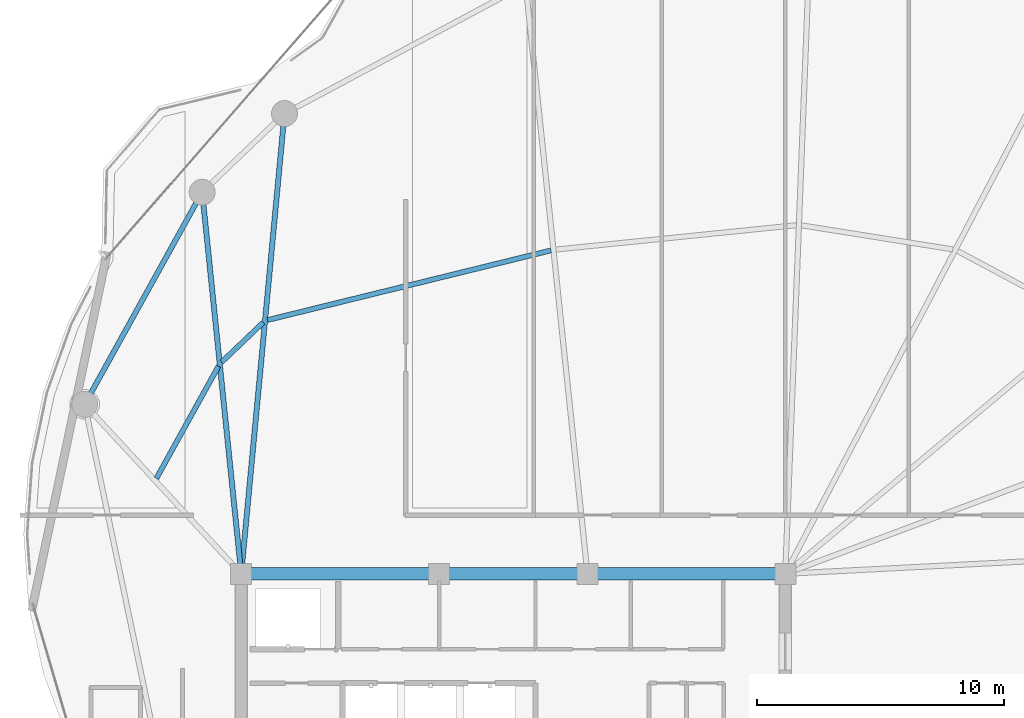
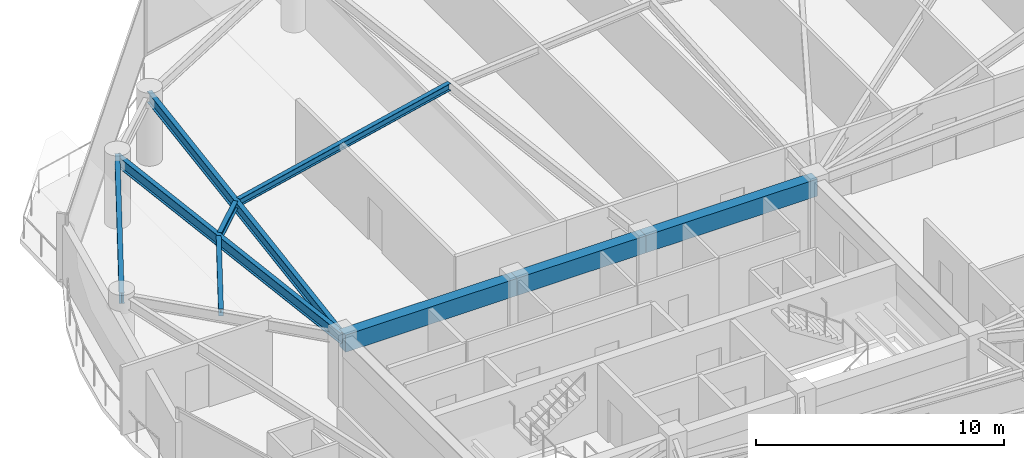
# One storey, part 8 of 28: 9 beams.
"""IFC4 building model written with IfcOpenShell, lengths in metres."""

from ifc_helpers import new_model, si_unit, direction, frame, origin, origin_2d, place, context, subcontext, project, spatial, rectangle, i_section, extrude, material, material_profile, profile_set, type_object, element, save


model = new_model("IFC4")

# Units and contexts
model_context = context("Model", 3, precision=1e-05, world=origin(), true_north=direction((0.0, 1.0)))
body_context = subcontext(model_context, "Body", "Model", "MODEL_VIEW")
ifc_project = project(units=[si_unit("LENGTHUNIT", "METRE"), si_unit("AREAUNIT", "SQUARE_METRE"), si_unit("VOLUMEUNIT", "CUBIC_METRE"), si_unit("PLANEANGLEUNIT", "RADIAN"), si_unit("MASSUNIT", "GRAM", prefix="KILO")], contexts=[model_context])

# Site, building, storey
site_placement = place(None, origin())
site = spatial("IfcSite", under=ifc_project, at=site_placement, CompositionType="ELEMENT")
building_placement = place(site_placement, origin())
building = spatial("IfcBuilding", under=site, at=building_placement, Name="Kazevale Care Tower and Concert Hall", CompositionType="ELEMENT")
storey_placement = place(building_placement, frame((0.0, 0.0, 228.0)))
storey = spatial("IfcBuildingStorey", under=building, at=storey_placement, Name="L60", CompositionType="ELEMENT", Elevation=228.0)

# Beams
ifc_material_1 = material(Name="Concrete C60", Category="concrete")
ifc_material_profile_1 = material_profile(ifc_material_1, rectangle(XDim=0.5, YDim=0.85009765625, at=origin_2d()), Name="RC-B500x850")
ifc_profile_set_1 = profile_set([ifc_material_profile_1], Name="Concrete C60")
beam_type_1 = type_object("IfcBeamType", Name="Core Coupling Beam RC500x850", PredefinedType="LINTEL", material=ifc_profile_set_1)
beam_1_placement = place(storey_placement, frame((44.0, 36.39990234375, 2.93505859375), z_axis=(-1.0, 0.0, 0.0), x_axis=(0.0, -1.0, 0.0)))
element("IfcBeam", 1, at=beam_1_placement, inside=storey, type_object=beam_type_1, Name="beam:L60:coretie:5", PredefinedType="LINTEL", context=body_context, shape_type="SweptSolid", body=[
    extrude(rectangle(XDim=0.5, YDim=0.85009765625, at=origin_2d()), origin(), (0.0, 0.0, 1.0), 8.0),
])
beam_2_placement = place(storey_placement, frame((36.0, 36.39990234375, 2.93505859375), z_axis=(-1.0, 0.0, 0.0), x_axis=(0.0, -1.0, 0.0)))
element("IfcBeam", 2, at=beam_2_placement, inside=storey, type_object=beam_type_1, Name="beam:L60:coretie:6", PredefinedType="LINTEL", context=body_context, shape_type="SweptSolid", body=[
    extrude(rectangle(XDim=0.5, YDim=0.85009765625, at=origin_2d()), origin(), (0.0, 0.0, 1.0), 6.0),
])
beam_3_placement = place(storey_placement, frame((30.0, 36.39990234375, 2.93505859375), z_axis=(-1.0, 0.0, 0.0), x_axis=(0.0, -1.0, 0.0)))
element("IfcBeam", 3, at=beam_3_placement, inside=storey, type_object=beam_type_1, Name="beam:L60:coretie:7", PredefinedType="LINTEL", context=body_context, shape_type="SweptSolid", body=[
    extrude(rectangle(XDim=0.5, YDim=0.85009765625, at=origin_2d()), origin(), (0.0, 0.0, 1.0), 8.0),
])
ifc_material_2 = material(Name="Steel ASTM A572 Gr 50", Category="steel")
ifc_material_profile_2 = material_profile(ifc_material_2, i_section(OverallWidth=0.2119140625, OverallDepth=0.5439453125, WebThickness=0.01318359375, FlangeThickness=0.021240234375, at=origin_2d()), Name="W530x123")
ifc_profile_set_2 = profile_set([ifc_material_profile_2], Name="Steel ASTM A572 Gr 50")
beam_type_2 = type_object("IfcBeamType", Name="Radial Floor Girder W530x123", PredefinedType="BEAM", material=ifc_profile_set_2)
beam_4_placement = place(storey_placement, frame((22.0, 36.39990234375, 3.087890625), z_axis=(0.093621904075, 0.995607823933, 0.0), x_axis=(-0.995607823933, 0.093621904075, 0.0)))
element("IfcBeam", 4, at=beam_4_placement, inside=storey, type_object=beam_type_2, Name="beam:L60:rad:07", PredefinedType="BEAM", context=body_context, shape_type="SweptSolid", body=[
    extrude(i_section(OverallWidth=0.2119140625, OverallDepth=0.5439453125, WebThickness=0.01318359375, FlangeThickness=0.021240234375, at=origin_2d()), origin(), (0.0, 0.0, 1.0), 18.692138671875),
])
beam_5_placement = place(storey_placement, frame((22.0, 36.39990234375, 3.087890625), z_axis=(-0.101869109083, 0.994797810922, 0.0), x_axis=(-0.994797810922, -0.101869109083, 0.0)))
element("IfcBeam", 5, at=beam_5_placement, inside=storey, type_object=beam_type_2, Name="beam:L60:rad:08", PredefinedType="BEAM", context=body_context, shape_type="SweptSolid", body=[
    extrude(i_section(OverallWidth=0.2119140625, OverallDepth=0.5439453125, WebThickness=0.01318359375, FlangeThickness=0.021240234375, at=origin_2d()), origin(), (0.0, 0.0, 1.0), 15.510986328125),
])
ifc_material_profile_3 = material_profile(ifc_material_2, i_section(OverallWidth=0.205078125, OverallDepth=0.35400390625, WebThickness=0.009521484375, FlangeThickness=0.016845703125, at=origin_2d()), Name="W360x79")
ifc_profile_set_3 = profile_set([ifc_material_profile_3], Name="Steel ASTM A572 Gr 50")
beam_type_3 = type_object("IfcBeamType", Name="Secondary Floor Joist W360x79", PredefinedType="JOIST", material=ifc_profile_set_3)
beam_6_placement = place(storey_placement, frame((34.52294921875, 49.47607421875, 3.18310546875), z_axis=(-0.971122715177, -0.238580535809, 0.0), x_axis=(0.238580535809, -0.971122715177, 0.0)))
element("IfcBeam", 6, at=beam_6_placement, inside=storey, type_object=beam_type_3, Name="beam:L60:joist:06", PredefinedType="JOIST", context=body_context, shape_type="SweptSolid", body=[
    extrude(i_section(OverallWidth=0.205078125, OverallDepth=0.35400390625, WebThickness=0.009521484375, FlangeThickness=0.016845703125, at=origin_2d()), origin(), (0.0, 0.0, 1.0), 11.7998046875),
])
beam_7_placement = place(storey_placement, frame((22.886962890625, 46.56298828125, 3.18310546875), z_axis=(-0.723262472539, -0.690573237114, 0.0), x_axis=(0.690573237114, -0.723262472539, 0.0)))
element("IfcBeam", 7, at=beam_7_placement, inside=storey, type_object=beam_type_3, Name="beam:L60:joist:07", PredefinedType="JOIST", context=body_context, shape_type="SweptSolid", body=[
    extrude(i_section(OverallWidth=0.205078125, OverallDepth=0.35400390625, WebThickness=0.009521484375, FlangeThickness=0.016845703125, at=origin_2d()), origin(), (0.0, 0.0, 1.0), 2.32275390625),
])
beam_8_placement = place(storey_placement, frame((21.080078125, 44.794921875, 3.18310546875), z_axis=(-0.484322963201, -0.874889288605, 0.0), x_axis=(0.874889288605, -0.484322963201, 0.0)))
element("IfcBeam", 8, at=beam_8_placement, inside=storey, type_object=beam_type_3, Name="beam:L60:joist:08", PredefinedType="JOIST", context=body_context, shape_type="SweptSolid", body=[
    extrude(i_section(OverallWidth=0.205078125, OverallDepth=0.35400390625, WebThickness=0.009521484375, FlangeThickness=0.016845703125, at=origin_2d()), origin(), (0.0, 0.0, 1.0), 5.1845703125),
])
ifc_material_profile_4 = material_profile(ifc_material_2, i_section(OverallWidth=0.208984375, OverallDepth=0.532958984375, WebThickness=0.01025390625, FlangeThickness=0.015625, at=origin_2d()), Name="W530x92")
ifc_profile_set_4 = profile_set([ifc_material_profile_4], Name="Steel ASTM A572 Gr 50")
beam_type_4 = type_object("IfcBeamType", Name="Upper Ring Beam W530x92", PredefinedType="BEAM", material=ifc_profile_set_4)
beam_9_placement = place(storey_placement, frame((20.419921875, 51.830078125, 3.093505859375), z_axis=(-0.484340382014, -0.874879645637, 0.0), x_axis=(0.874879645637, -0.484340382014, 0.0)))
element("IfcBeam", 9, at=beam_9_placement, inside=storey, type_object=beam_type_4, Name="beam:L60:ring:08", PredefinedType="BEAM", context=body_context, shape_type="SweptSolid", body=[
    extrude(i_section(OverallWidth=0.208984375, OverallDepth=0.532958984375, WebThickness=0.01025390625, FlangeThickness=0.015625, at=origin_2d()), origin(), (0.0, 0.0, 1.0), 9.80712890625),
])

save(model, "model.ifc")
